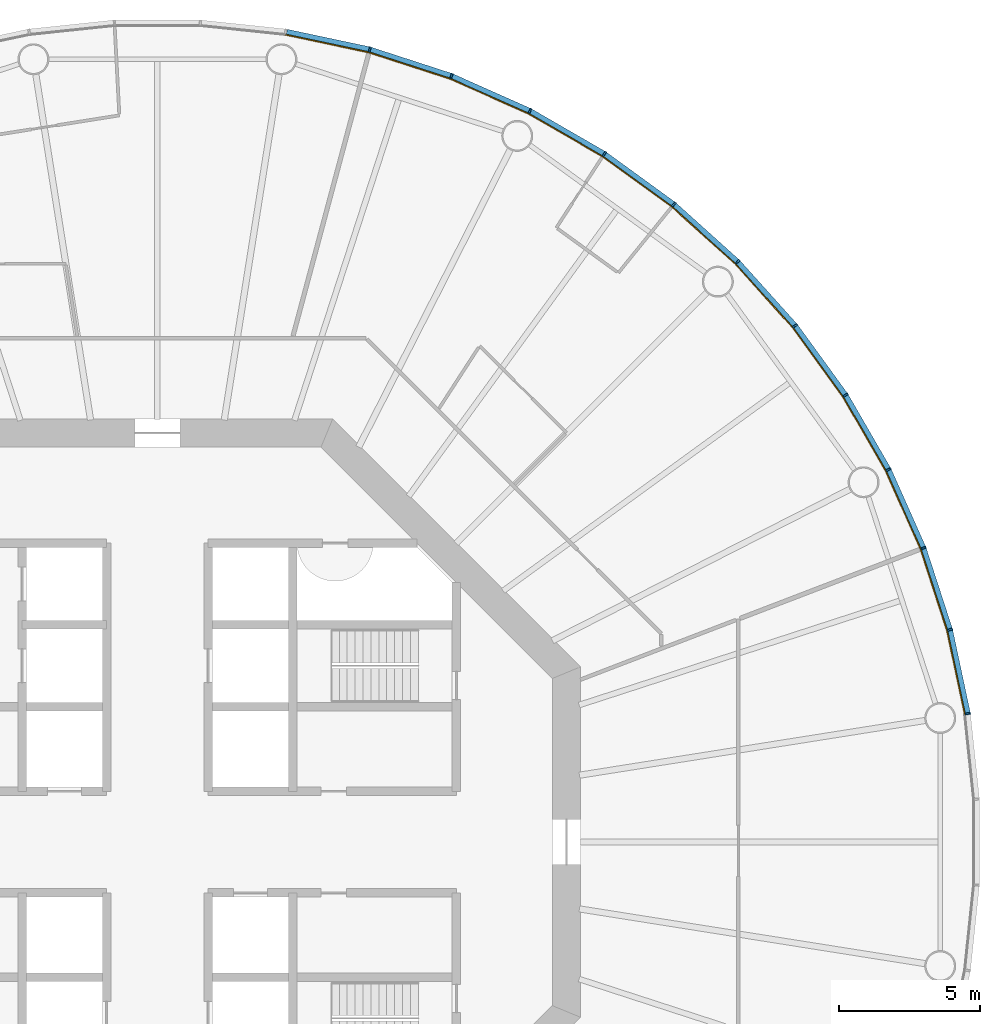
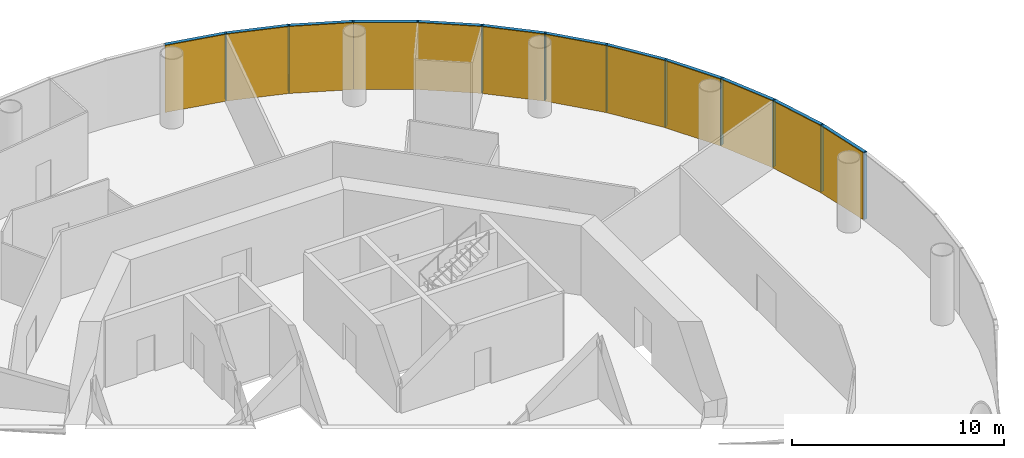
# One storey, part 11 of 12: 24 members, 4 curtain walls.
"""IFC4 building model written with IfcOpenShell, lengths in metres."""

import ifcopenshell
import ifcopenshell.guid

model = None  # the IFC model being written
_history = None  # IfcOwnerHistory: only IFC2X3 demands one
_inside = {}  # id of a spatial element -> (the spatial element, [elements in it])
_under = {}  # id of a project, library or spatial element -> (it, [spatial elements below it])
_declared = {}  # id of a project -> (the project, [libraries it declares])
_typed = {}  # id of a type object -> (the type object, [elements of that type])
_made_of = {}  # id of a material, layer set ... -> (it, [elements and type objects made of it])


def new_model(schema):
    """Start an empty IFC model of exactly this schema.

    Asked for "IFC4X3", IfcOpenShell would pick the latest addendum, in which some entities
    have other attributes; the version numbers below select the first issue.
    IFC2X3 requires an IfcOwnerHistory on every rooted entity: one is made here for all.
    """
    global model, _history
    if schema == "IFC4X3":
        model = ifcopenshell.file(schema_version=(4, 3, 0, 0))
    else:
        model = ifcopenshell.file(schema=schema)
    _inside.clear()
    _under.clear()
    _declared.clear()
    _typed.clear()
    _made_of.clear()
    _history = None
    if model.schema == "IFC2X3":
        org = make("IfcOrganization", Name="unknown")
        user = make(
            "IfcPersonAndOrganization",
            ThePerson=make("IfcPerson", FamilyName="unknown"),
            TheOrganization=org,
        )
        app = make(
            "IfcApplication",
            ApplicationDeveloper=org,
            Version="unknown",
            ApplicationFullName="unknown",
            ApplicationIdentifier="unknown",
        )
        _history = make(
            "IfcOwnerHistory",
            OwningUser=user,
            OwningApplication=app,
            ChangeAction="ADDED",
            CreationDate=0,
        )
    return model


def make(cls, **values):
    """One entity of the class cls with the attributes given. An attribute that is None is left unset."""
    return model.create_entity(
        cls, **{name: value for name, value in values.items() if value is not None}
    )


def rooted(cls, **values):
    """An entity with a GlobalId (a new one), such as an element, a storey or a relation."""
    return make(cls, GlobalId=ifcopenshell.guid.new(), OwnerHistory=_history, **values)


def si_unit(unit_type, name, prefix=None):
    """IfcSIUnit, for example si_unit("LENGTHUNIT", "METRE", prefix="MILLI")."""
    return make("IfcSIUnit", UnitType=unit_type, Prefix=prefix, Name=name)


def assignment(units):
    """IfcUnitAssignment: the units of a project."""
    return None if units is None else make("IfcUnitAssignment", Units=units)


def point(xyz):
    """IfcCartesianPoint."""
    return None if xyz is None else make("IfcCartesianPoint", Coordinates=xyz)


def direction(xyz):
    """IfcDirection."""
    return None if xyz is None else make("IfcDirection", DirectionRatios=xyz)


def frame(location, z_axis=None, x_axis=None):
    """IfcAxis2Placement3D, a coordinate frame: its origin and axes. An axis left out is left unset."""
    return make(
        "IfcAxis2Placement3D",
        Location=point(location),
        Axis=direction(z_axis),
        RefDirection=direction(x_axis),
    )


def frame_2d(location, x_axis=None):
    """IfcAxis2Placement2D, a coordinate frame in the plane: its origin and x axis."""
    return make(
        "IfcAxis2Placement2D", Location=point(location), RefDirection=direction(x_axis)
    )


def origin():
    """The frame at (0, 0, 0) with its axes left unset."""
    return frame((0.0, 0.0, 0.0))


def origin_2d():
    """The frame at (0, 0) in the plane with its x axis left unset."""
    return frame_2d((0.0, 0.0))


def place(relative_to, where):
    """IfcLocalPlacement: puts the frame where relative to a parent placement (None: the world)."""
    return make(
        "IfcLocalPlacement", PlacementRelTo=relative_to, RelativePlacement=where
    )


def context(
    kind, dimensions, precision=None, world=None, true_north=None, identifier=None
):
    """IfcGeometricRepresentationContext, for example the 3D "Model" context."""
    return make(
        "IfcGeometricRepresentationContext",
        ContextIdentifier=identifier,
        ContextType=kind,
        CoordinateSpaceDimension=dimensions,
        Precision=precision,
        WorldCoordinateSystem=world,
        TrueNorth=true_north,
    )


def subcontext(parent, identifier, kind, view, scale=None):
    """IfcGeometricRepresentationSubContext, for example "Body" below "Model"."""
    return make(
        "IfcGeometricRepresentationSubContext",
        ContextIdentifier=identifier,
        ContextType=kind,
        ParentContext=parent,
        TargetScale=scale,
        TargetView=view,
    )


def project(units=None, contexts=None):
    """IfcProject with its units and contexts."""
    return rooted(
        "IfcProject",
        Name="project",
        RepresentationContexts=contexts,
        UnitsInContext=assignment(units),
    )


def spatial(cls, under=None, at=None, **own):
    """A site, building, storey or space (cls), placed at a placement, below another one or the project."""
    s = rooted(cls, ObjectPlacement=at, **own)
    if under is not None:
        _under.setdefault(under.id(), (under, []))[1].append(s)
    return s


def polyline(points):
    """IfcPolyline through the points."""
    return make("IfcPolyline", Points=[point(p) for p in points])


def profile(cls, at=None, kind="AREA", **sizes):
    """A parametric profile (cls). Its sizes go by their IFC names, for example OverallWidth=200.0."""
    return make(cls, ProfileType=kind, Position=at, **sizes)


def rectangle(**sizes):
    """IfcRectangleProfileDef."""
    return profile("IfcRectangleProfileDef", **sizes)


def outline(outer, holes=None, kind="AREA"):
    """IfcArbitraryClosedProfileDef: a profile drawn as a closed curve; with holes, ...WithVoids."""
    if holes is None:
        return make("IfcArbitraryClosedProfileDef", ProfileType=kind, OuterCurve=outer)
    return make(
        "IfcArbitraryProfileDefWithVoids",
        ProfileType=kind,
        OuterCurve=outer,
        InnerCurves=holes,
    )


def extrude(swept, where, along, depth):
    """IfcExtrudedAreaSolid: the profile swept, set in the frame where, extruded along a direction by depth."""
    return make(
        "IfcExtrudedAreaSolid",
        SweptArea=swept,
        Position=where,
        ExtrudedDirection=direction(along),
        Depth=depth,
    )


def shape(context_of_items, identifier, shape_type, items):
    """IfcShapeRepresentation: the items that make up one representation, for example the "Body"."""
    return make(
        "IfcShapeRepresentation",
        ContextOfItems=context_of_items,
        RepresentationIdentifier=identifier,
        RepresentationType=shape_type,
        Items=items,
    )


def material(Name=None, Category=None):
    """IfcMaterial."""
    return make("IfcMaterial", Name=Name, Category=Category)


def layer(
    of_material, thickness, ventilated=None, Name=None, Category=None, Priority=None
):
    """IfcMaterialLayer: one layer of a wall or slab, of a material (None: an air gap)."""
    return make(
        "IfcMaterialLayer",
        Material=of_material,
        LayerThickness=thickness,
        IsVentilated=ventilated,
        Name=Name,
        Category=Category,
        Priority=Priority,
    )


def layer_set(layers, Name=None):
    """IfcMaterialLayerSet."""
    return make("IfcMaterialLayerSet", MaterialLayers=layers, LayerSetName=Name)


def material_profile(
    of_material, cross_section, Name=None, Category=None, Priority=None
):
    """IfcMaterialProfile: a cross section and its material."""
    return make(
        "IfcMaterialProfile",
        Name=Name,
        Material=of_material,
        Profile=cross_section,
        Priority=Priority,
        Category=Category,
    )


def profile_set(profiles, Name=None, composite=None):
    """IfcMaterialProfileSet."""
    return make(
        "IfcMaterialProfileSet",
        Name=Name,
        MaterialProfiles=profiles,
        CompositeProfile=composite,
    )


def made_of(thing, what):
    """Note that an element or type object is made of a material, layer set ...; save() writes the relation."""
    if what is not None:
        _made_of.setdefault(what.id(), (what, []))[1].append(thing)
    return thing


def type_object(cls, material=None, **own):
    """A type object (cls), such as IfcWallType, which elements share."""
    return made_of(rooted(cls, **own), material)


def element(
    cls,
    number,
    at=None,
    inside=None,
    cuts=None,
    type_object=None,
    material=None,
    context=None,
    identifier="Body",
    shape_type=None,
    held_by="IfcProductDefinitionShape",
    body=None,
    shapes=None,
    **own,
):
    """One element of the class cls, such as IfcWall. Its Tag is "e" and its number.

    at: its placement. inside: the storey or other place that contains it. cuts: it is an
    opening in that element (IfcRelVoidsElement). A single representation is given by context,
    identifier, shape_type and body (its items); several are given by shapes. held_by: the class
    of the entity that holds the representations. save() writes the other relations.
    """
    e = rooted(cls, Tag="e%d" % number, ObjectPlacement=at, **own)
    if body is not None:
        shapes = [shape(context, identifier, shape_type, body)]
    if shapes is not None:
        e.Representation = make(held_by, Representations=shapes)
    if inside is not None:
        _inside.setdefault(inside.id(), (inside, []))[1].append(e)
    if cuts is not None:
        rooted(
            "IfcRelVoidsElement", RelatingBuildingElement=cuts, RelatedOpeningElement=e
        )
    if type_object is not None:
        _typed.setdefault(type_object.id(), (type_object, []))[1].append(e)
    return made_of(e, material)


def aggregate(whole, parts):
    """IfcRelAggregates: a whole, such as a stair, and the parts it consists of."""
    return rooted("IfcRelAggregates", RelatingObject=whole, RelatedObjects=parts)


def save(model, path):
    """Write the relations noted so far, then the file.

    IfcRelAggregates (storeys below a building ...), IfcRelContainedInSpatialStructure (elements
    in a storey), IfcRelDefinesByType, IfcRelAssociatesMaterial and IfcRelDeclares: one each for
    every whole, place, type object, material and project.
    """
    for whole, parts in _under.values():
        aggregate(whole, parts)
    for where, things in _inside.values():
        rooted(
            "IfcRelContainedInSpatialStructure",
            RelatedElements=things,
            RelatingStructure=where,
        )
    for kind, things in _typed.values():
        rooted("IfcRelDefinesByType", RelatedObjects=things, RelatingType=kind)
    for what, things in _made_of.values():
        rooted("IfcRelAssociatesMaterial", RelatedObjects=things, RelatingMaterial=what)
    for by, libraries in _declared.values():
        rooted("IfcRelDeclares", RelatingContext=by, RelatedDefinitions=libraries)
    model.write(path)


model = new_model("IFC4")

# Units and contexts
model_context = context("Model", 3, precision=1e-05, world=origin(), true_north=direction((0.0, 1.0)))
body_context = subcontext(model_context, "Body", "Model", "MODEL_VIEW")
ifc_project = project(units=[si_unit("LENGTHUNIT", "METRE"), si_unit("AREAUNIT", "SQUARE_METRE"), si_unit("VOLUMEUNIT", "CUBIC_METRE"), si_unit("PLANEANGLEUNIT", "RADIAN"), si_unit("MASSUNIT", "GRAM", prefix="KILO")], contexts=[model_context])

# Member
ifc_material_1 = material(Name="Anodised aluminium", Category="aluminium")
ifc_material_profile_1 = material_profile(ifc_material_1, rectangle(XDim=0.06494140625, YDim=0.18505859375, at=origin_2d()), Name="Mullion 65 x 185 mm anodised aluminium")
ifc_profile_set_1 = profile_set([ifc_material_profile_1], Name="Anodised aluminium")
member_type_1 = type_object("IfcMemberType", Name="Mullion 65 x 185 mm anodised aluminium", PredefinedType="MULLION", material=ifc_profile_set_1)
site_placement = place(None, origin())
building_placement = place(site_placement, origin())
storey_placement = place(building_placement, frame((0.0, 0.0, 152.0)))
member_1_placement = place(storey_placement, frame((118.734375, 84.551025390625, 0.0), z_axis=(0.0, 0.0, 1.0), x_axis=(-0.15643446504, 0.987688340595, 0.0)))
member_1 = element("IfcMember", 1, at=member_1_placement, type_object=member_type_1, Name="MULLION L34-00", PredefinedType="MULLION", context=body_context, shape_type="SweptSolid", body=[
    extrude(rectangle(XDim=0.06494140625, YDim=0.18505859375, at=origin_2d()), origin(), (0.0, 0.0, 1.0), 3.85009765625),
])

member_2_placement = place(storey_placement, frame((118.101318359375, 87.52978515625, 0.0), z_axis=(0.0, 0.0, 1.0), x_axis=(-0.258819045103, 0.965925826289, 0.0)))
member_2 = element("IfcMember", 2, at=member_2_placement, type_object=member_type_1, Name="MULLION L34-01", PredefinedType="MULLION", context=body_context, shape_type="SweptSolid", body=[
    extrude(rectangle(XDim=0.06494140625, YDim=0.18505859375, at=origin_2d()), origin(), (0.0, 0.0, 1.0), 3.85009765625),
])

member_3_placement = place(storey_placement, frame((117.16015625, 90.42578125, 0.0), z_axis=(0.0, 0.0, 1.0), x_axis=(-0.358367949545, 0.933580426497, 0.0)))
member_3 = element("IfcMember", 3, at=member_3_placement, type_object=member_type_1, Name="MULLION L34-02", PredefinedType="MULLION", context=body_context, shape_type="SweptSolid", body=[
    extrude(rectangle(XDim=0.06494140625, YDim=0.18505859375, at=origin_2d()), origin(), (0.0, 0.0, 1.0), 3.85009765625),
])

member_4_placement = place(storey_placement, frame((115.921630859375, 93.207763671875, 0.0), z_axis=(0.0, 0.0, 1.0), x_axis=(-0.45399049974, 0.891006524188, 0.0)))
member_4 = element("IfcMember", 4, at=member_4_placement, type_object=member_type_1, Name="MULLION L34-03", PredefinedType="MULLION", context=body_context, shape_type="SweptSolid", body=[
    extrude(rectangle(XDim=0.06494140625, YDim=0.18505859375, at=origin_2d()), origin(), (0.0, 0.0, 1.0), 3.85009765625),
])

member_5_placement = place(storey_placement, frame((114.39892578125, 95.844970703125, 0.0), z_axis=(0.0, 0.0, 1.0), x_axis=(-0.544639035015, 0.838670567945, 0.0)))
member_5 = element("IfcMember", 5, at=member_5_placement, type_object=member_type_1, Name="MULLION L34-04", PredefinedType="MULLION", context=body_context, shape_type="SweptSolid", body=[
    extrude(rectangle(XDim=0.06494140625, YDim=0.18505859375, at=origin_2d()), origin(), (0.0, 0.0, 1.0), 3.85009765625),
])

member_6_placement = place(storey_placement, frame((112.609130859375, 98.30859375, 0.0), z_axis=(0.0, 0.0, 1.0), x_axis=(-0.62932039105, 0.777145961457, 0.0)))
member_6 = element("IfcMember", 6, at=member_6_placement, type_object=member_type_1, Name="MULLION L34-05", PredefinedType="MULLION", context=body_context, shape_type="SweptSolid", body=[
    extrude(rectangle(XDim=0.06494140625, YDim=0.18505859375, at=origin_2d()), origin(), (0.0, 0.0, 1.0), 3.85009765625),
])

member_7_placement = place(storey_placement, frame((110.571533203125, 100.571533203125, 0.0), z_axis=(0.0, 0.0, 1.0), x_axis=(-0.707106781187, 0.707106781187, 0.0)))
member_7 = element("IfcMember", 7, at=member_7_placement, type_object=member_type_1, Name="MULLION L34-06", PredefinedType="MULLION", context=body_context, shape_type="SweptSolid", body=[
    extrude(rectangle(XDim=0.06494140625, YDim=0.18505859375, at=origin_2d()), origin(), (0.0, 0.0, 1.0), 3.85009765625),
])

member_8_placement = place(storey_placement, frame((108.30859375, 102.609130859375, 0.0), z_axis=(0.0, 0.0, 1.0), x_axis=(-0.777145961457, 0.62932039105, 0.0)))
member_8 = element("IfcMember", 8, at=member_8_placement, type_object=member_type_1, Name="MULLION L34-07", PredefinedType="MULLION", context=body_context, shape_type="SweptSolid", body=[
    extrude(rectangle(XDim=0.06494140625, YDim=0.18505859375, at=origin_2d()), origin(), (0.0, 0.0, 1.0), 3.85009765625),
])

member_9_placement = place(storey_placement, frame((105.844970703125, 104.39892578125, 0.0), z_axis=(0.0, 0.0, 1.0), x_axis=(-0.838670567945, 0.544639035015, 0.0)))
member_9 = element("IfcMember", 9, at=member_9_placement, type_object=member_type_1, Name="MULLION L34-08", PredefinedType="MULLION", context=body_context, shape_type="SweptSolid", body=[
    extrude(rectangle(XDim=0.06494140625, YDim=0.18505859375, at=origin_2d()), origin(), (0.0, 0.0, 1.0), 3.85009765625),
])

member_10_placement = place(storey_placement, frame((103.207763671875, 105.921630859375, 0.0), z_axis=(0.0, 0.0, 1.0), x_axis=(-0.891006524188, 0.45399049974, 0.0)))
member_10 = element("IfcMember", 10, at=member_10_placement, type_object=member_type_1, Name="MULLION L34-09", PredefinedType="MULLION", context=body_context, shape_type="SweptSolid", body=[
    extrude(rectangle(XDim=0.06494140625, YDim=0.18505859375, at=origin_2d()), origin(), (0.0, 0.0, 1.0), 3.85009765625),
])

member_11_placement = place(storey_placement, frame((100.42578125, 107.16015625, 0.0), z_axis=(0.0, 0.0, 1.0), x_axis=(-0.933580426497, 0.358367949545, 0.0)))
member_11 = element("IfcMember", 11, at=member_11_placement, type_object=member_type_1, Name="MULLION L34-10", PredefinedType="MULLION", context=body_context, shape_type="SweptSolid", body=[
    extrude(rectangle(XDim=0.06494140625, YDim=0.18505859375, at=origin_2d()), origin(), (0.0, 0.0, 1.0), 3.85009765625),
])

member_12_placement = place(storey_placement, frame((97.52978515625, 108.101318359375, 0.0), z_axis=(0.0, 0.0, 1.0), x_axis=(-0.965925826289, 0.258819045103, 0.0)))
member_12 = element("IfcMember", 12, at=member_12_placement, type_object=member_type_1, Name="MULLION L34-11", PredefinedType="MULLION", context=body_context, shape_type="SweptSolid", body=[
    extrude(rectangle(XDim=0.06494140625, YDim=0.18505859375, at=origin_2d()), origin(), (0.0, 0.0, 1.0), 3.85009765625),
])

ifc_material_2 = material(Name="Anodised aluminium", Category="aluminium")
ifc_material_profile_2 = material_profile(ifc_material_2, rectangle(XDim=0.18505859375, YDim=0.175048828125, at=origin_2d()), Name="Transom 175 x 185 mm anodised aluminium")
ifc_profile_set_2 = profile_set([ifc_material_profile_2], Name="Anodised aluminium")
member_type_2 = type_object("IfcMemberType", Name="Transom 175 x 185 mm anodised aluminium", PredefinedType="USERDEFINED", material=ifc_profile_set_2)
member_13_placement = place(storey_placement, frame((118.7265625, 84.587646484375, 3.762451171875), z_axis=(-0.207861704825, 0.97815822425, 0.0), x_axis=(-0.97815822425, -0.207861704825, 0.0)))
member_13 = element("IfcMember", 13, at=member_13_placement, type_object=member_type_2, Name="TRANSOM L34-00", ObjectType="TRANSOM", PredefinedType="USERDEFINED", context=body_context, shape_type="SweptSolid", body=[
    extrude(rectangle(XDim=0.18505859375, YDim=0.175048828125, at=origin_2d()), origin(), (0.0, 0.0, 1.0), 2.970458984375),
])

member_14_placement = place(storey_placement, frame((118.08984375, 87.565185546875, 3.762451171875), z_axis=(-0.30901917063, 0.951055809184, 0.0), x_axis=(-0.951055809184, -0.30901917063, 0.0)))
member_14 = element("IfcMember", 14, at=member_14_placement, type_object=member_type_2, Name="TRANSOM L34-01", ObjectType="TRANSOM", PredefinedType="USERDEFINED", context=body_context, shape_type="SweptSolid", body=[
    extrude(rectangle(XDim=0.18505859375, YDim=0.175048828125, at=origin_2d()), origin(), (0.0, 0.0, 1.0), 2.970703125),
])

member_15_placement = place(storey_placement, frame((117.14501953125, 90.4599609375, 3.762451171875), z_axis=(-0.406687471156, 0.913567348806, 0.0), x_axis=(-0.913567348806, -0.406687471156, 0.0)))
member_15 = element("IfcMember", 15, at=member_15_placement, type_object=member_type_2, Name="TRANSOM L34-02", ObjectType="TRANSOM", PredefinedType="USERDEFINED", context=body_context, shape_type="SweptSolid", body=[
    extrude(rectangle(XDim=0.18505859375, YDim=0.175048828125, at=origin_2d()), origin(), (0.0, 0.0, 1.0), 2.970458984375),
])

member_16_placement = place(storey_placement, frame((115.903076171875, 93.240234375, 3.762451171875), z_axis=(-0.500028367561, 0.866009025146, 0.0), x_axis=(-0.866009025146, -0.500028367561, 0.0)))
member_16 = element("IfcMember", 16, at=member_16_placement, type_object=member_type_2, Name="TRANSOM L34-03", ObjectType="TRANSOM", PredefinedType="USERDEFINED", context=body_context, shape_type="SweptSolid", body=[
    extrude(rectangle(XDim=0.18505859375, YDim=0.175048828125, at=origin_2d()), origin(), (0.0, 0.0, 1.0), 2.970458984375),
])

member_17_placement = place(storey_placement, frame((114.377197265625, 95.875244140625, 3.762451171875), z_axis=(-0.587819781808, 0.808991906087, 0.0), x_axis=(-0.808991906087, -0.587819781808, 0.0)))
member_17 = element("IfcMember", 17, at=member_17_placement, type_object=member_type_2, Name="TRANSOM L34-04", ObjectType="TRANSOM", PredefinedType="USERDEFINED", context=body_context, shape_type="SweptSolid", body=[
    extrude(rectangle(XDim=0.18505859375, YDim=0.175048828125, at=origin_2d()), origin(), (0.0, 0.0, 1.0), 2.970458984375),
])

member_18_placement = place(storey_placement, frame((112.584228515625, 98.33642578125, 3.762451171875), z_axis=(-0.669110027395, 0.743163354343, 0.0), x_axis=(-0.743163354343, -0.669110027395, 0.0)))
member_18 = element("IfcMember", 18, at=member_18_placement, type_object=member_type_2, Name="TRANSOM L34-05", ObjectType="TRANSOM", PredefinedType="USERDEFINED", context=body_context, shape_type="SweptSolid", body=[
    extrude(rectangle(XDim=0.18505859375, YDim=0.175048828125, at=origin_2d()), origin(), (0.0, 0.0, 1.0), 2.970458984375),
])

member_19_placement = place(storey_placement, frame((110.5439453125, 100.5966796875, 3.762451171875), z_axis=(-0.743163354343, 0.669110027395, 0.0), x_axis=(-0.669110027395, -0.743163354343, 0.0)))
member_19 = element("IfcMember", 19, at=member_19_placement, type_object=member_type_2, Name="TRANSOM L34-06", ObjectType="TRANSOM", PredefinedType="USERDEFINED", context=body_context, shape_type="SweptSolid", body=[
    extrude(rectangle(XDim=0.18505859375, YDim=0.175048828125, at=origin_2d()), origin(), (0.0, 0.0, 1.0), 2.970458984375),
])

member_20_placement = place(storey_placement, frame((108.2783203125, 102.631103515625, 3.762451171875), z_axis=(-0.808991906087, 0.587819781808, 0.0), x_axis=(-0.587819781808, -0.808991906087, 0.0)))
member_20 = element("IfcMember", 20, at=member_20_placement, type_object=member_type_2, Name="TRANSOM L34-07", ObjectType="TRANSOM", PredefinedType="USERDEFINED", context=body_context, shape_type="SweptSolid", body=[
    extrude(rectangle(XDim=0.18505859375, YDim=0.175048828125, at=origin_2d()), origin(), (0.0, 0.0, 1.0), 2.970458984375),
])

member_21_placement = place(storey_placement, frame((105.812744140625, 104.417724609375, 3.762451171875), z_axis=(-0.866009025146, 0.500028367561, 0.0), x_axis=(-0.500028367561, -0.866009025146, 0.0)))
member_21 = element("IfcMember", 21, at=member_21_placement, type_object=member_type_2, Name="TRANSOM L34-08", ObjectType="TRANSOM", PredefinedType="USERDEFINED", context=body_context, shape_type="SweptSolid", body=[
    extrude(rectangle(XDim=0.18505859375, YDim=0.175048828125, at=origin_2d()), origin(), (0.0, 0.0, 1.0), 2.970458984375),
])

member_22_placement = place(storey_placement, frame((103.173583984375, 105.93701171875, 3.762451171875), z_axis=(-0.913567348806, 0.406687471156, 0.0), x_axis=(-0.406687471156, -0.913567348806, 0.0)))
member_22 = element("IfcMember", 22, at=member_22_placement, type_object=member_type_2, Name="TRANSOM L34-09", ObjectType="TRANSOM", PredefinedType="USERDEFINED", context=body_context, shape_type="SweptSolid", body=[
    extrude(rectangle(XDim=0.18505859375, YDim=0.175048828125, at=origin_2d()), origin(), (0.0, 0.0, 1.0), 2.970458984375),
])

member_23_placement = place(storey_placement, frame((100.390380859375, 107.171875, 3.762451171875), z_axis=(-0.951055809184, 0.30901917063, 0.0), x_axis=(-0.30901917063, -0.951055809184, 0.0)))
member_23 = element("IfcMember", 23, at=member_23_placement, type_object=member_type_2, Name="TRANSOM L34-10", ObjectType="TRANSOM", PredefinedType="USERDEFINED", context=body_context, shape_type="SweptSolid", body=[
    extrude(rectangle(XDim=0.18505859375, YDim=0.175048828125, at=origin_2d()), origin(), (0.0, 0.0, 1.0), 2.970703125),
])

member_24_placement = place(storey_placement, frame((97.4931640625, 108.109130859375, 3.762451171875), z_axis=(-0.97815822425, 0.207861704825, 0.0), x_axis=(-0.207861704825, -0.97815822425, 0.0)))
member_24 = element("IfcMember", 24, at=member_24_placement, type_object=member_type_2, Name="TRANSOM L34-11", ObjectType="TRANSOM", PredefinedType="USERDEFINED", context=body_context, shape_type="SweptSolid", body=[
    extrude(rectangle(XDim=0.18505859375, YDim=0.175048828125, at=origin_2d()), origin(), (0.0, 0.0, 1.0), 2.970458984375),
])

# Site, building, storey
site = spatial("IfcSite", under=ifc_project, at=site_placement, CompositionType="ELEMENT")
building = spatial("IfcBuilding", under=site, at=building_placement, Name="Entoto Ring Tower", CompositionType="ELEMENT")
storey = spatial("IfcBuildingStorey", under=building, at=storey_placement, Name="L34", CompositionType="ELEMENT", Elevation=152.0)

# Curtain wall
ifc_material_3 = material(Name="Clear low-iron glass", Category="glass")
ifc_layer = layer(ifc_material_3, 0.033935546875)
ifc_layer_set = layer_set([ifc_layer], Name="Clear low-iron glass")
curtain_wall_type = type_object("IfcCurtainWallType", Name="Curtain wall system CW3 glazing 34 mm", PredefinedType="NOTDEFINED", material=ifc_layer_set)
curtain_wall_1_placement = place(storey_placement, origin())
curtain_wall_1 = element("IfcCurtainWall", 25, at=curtain_wall_1_placement, inside=storey, type_object=curtain_wall_type, Name="CW3 L34-01", PredefinedType="NOTDEFINED", context=body_context, shape_type="SweptSolid", body=[
    extrude(outline(polyline([(118.64306640625, 84.53662109375), (118.011962890625, 87.505859375), (117.07373046875, 90.392578125), (115.839111328125, 93.165771484375), (115.808837890625, 93.150146484375), (117.0419921875, 90.38037109375), (117.97900390625, 87.496826171875), (118.609375, 84.53125), (118.64306640625, 84.53662109375)])), origin(), (0.0, 0.0, 1.0), 3.85009765625),
])

aggregate(curtain_wall_1, [member_1, member_2, member_3, member_13, member_14, member_15])

curtain_wall_2_placement = place(storey_placement, origin())
curtain_wall_2 = element("IfcCurtainWall", 26, at=curtain_wall_2_placement, inside=storey, type_object=curtain_wall_type, Name="CW3 L34-02", PredefinedType="NOTDEFINED", context=body_context, shape_type="SweptSolid", body=[
    extrude(outline(polyline([(115.839111328125, 93.165771484375), (114.321533203125, 95.79443359375), (112.537353515625, 98.250244140625), (110.506103515625, 100.506103515625), (110.48193359375, 100.48193359375), (112.5107421875, 98.228759765625), (114.29296875, 95.77587890625), (115.808837890625, 93.150146484375), (115.839111328125, 93.165771484375)])), origin(), (0.0, 0.0, 1.0), 3.85009765625),
])

aggregate(curtain_wall_2, [member_4, member_5, member_6, member_16, member_17, member_18])

curtain_wall_3_placement = place(storey_placement, origin())
curtain_wall_3 = element("IfcCurtainWall", 27, at=curtain_wall_3_placement, inside=storey, type_object=curtain_wall_type, Name="CW3 L34-03", PredefinedType="NOTDEFINED", context=body_context, shape_type="SweptSolid", body=[
    extrude(outline(polyline([(110.506103515625, 100.506103515625), (108.250244140625, 102.537353515625), (105.79443359375, 104.321533203125), (103.165771484375, 105.839111328125), (103.150146484375, 105.808837890625), (105.77587890625, 104.29296875), (108.228759765625, 102.5107421875), (110.48193359375, 100.48193359375), (110.506103515625, 100.506103515625)])), origin(), (0.0, 0.0, 1.0), 3.85009765625),
])

aggregate(curtain_wall_3, [member_7, member_8, member_9, member_19, member_20, member_21])

curtain_wall_4_placement = place(storey_placement, origin())
curtain_wall_4 = element("IfcCurtainWall", 28, at=curtain_wall_4_placement, inside=storey, type_object=curtain_wall_type, Name="CW3 L34-04", PredefinedType="NOTDEFINED", context=body_context, shape_type="SweptSolid", body=[
    extrude(outline(polyline([(103.165771484375, 105.839111328125), (100.392578125, 107.07373046875), (97.505859375, 108.011962890625), (94.53662109375, 108.64306640625), (94.53125, 108.609375), (97.496826171875, 107.97900390625), (100.38037109375, 107.0419921875), (103.150146484375, 105.808837890625), (103.165771484375, 105.839111328125)])), origin(), (0.0, 0.0, 1.0), 3.85009765625),
])

aggregate(curtain_wall_4, [member_10, member_11, member_12, member_22, member_23, member_24])

save(model, "model.ifc")
